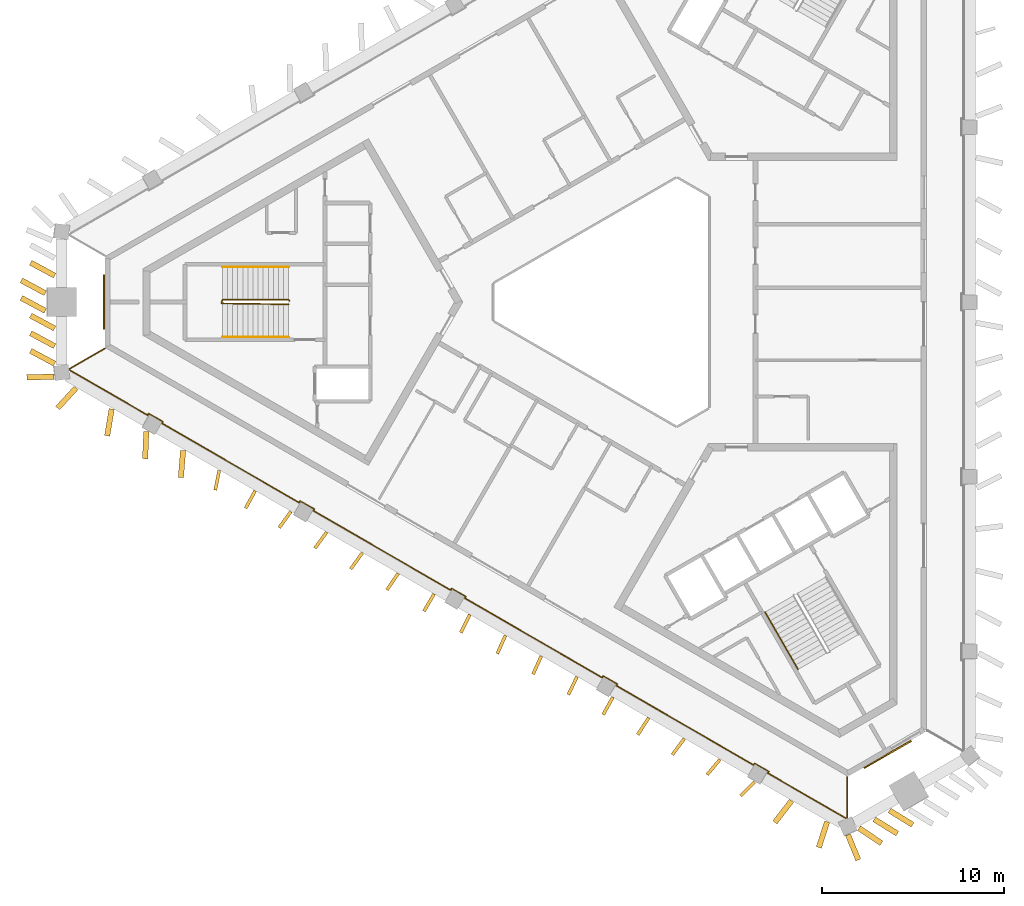
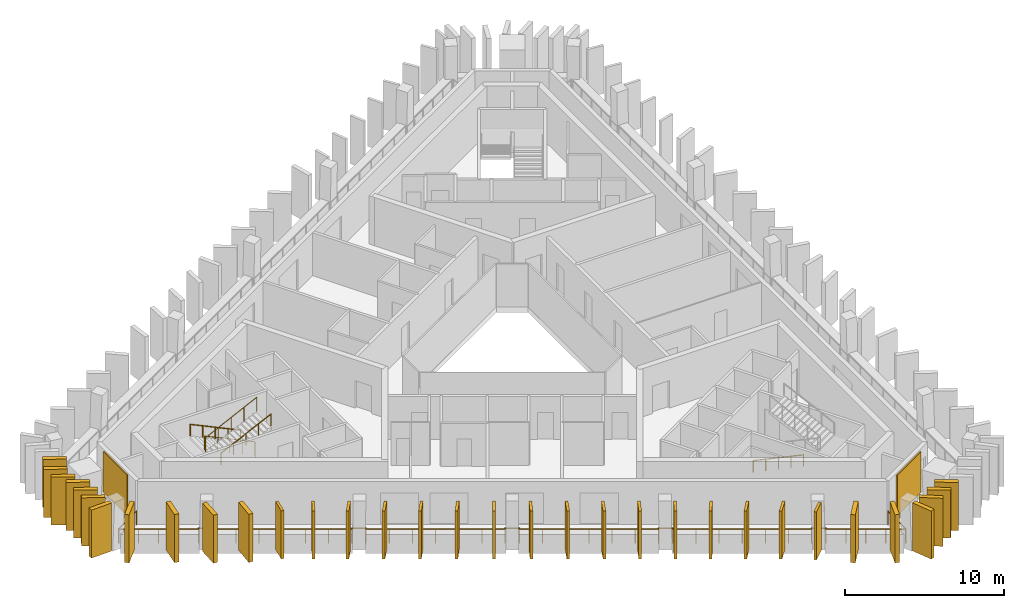
# One storey, part 7 of 10: 33 shading devices, 5 railings, 2 coverings.
"""IFC4 building model written with IfcOpenShell, lengths in metres."""

from ifc_helpers import new_model, si_unit, direction, frame, frame_2d, origin, origin_2d, place, context, subcontext, project, spatial, rectangle, circle, extrude, material, layer, layer_set, type_object, element, save


model = new_model("IFC4")

# Units and contexts
model_context = context("Model", 3, precision=1e-05, world=origin(), true_north=direction((0.0, 1.0)))
body_context = subcontext(model_context, "Body", "Model", "MODEL_VIEW")
ifc_project = project(units=[si_unit("LENGTHUNIT", "METRE"), si_unit("AREAUNIT", "SQUARE_METRE"), si_unit("VOLUMEUNIT", "CUBIC_METRE"), si_unit("PLANEANGLEUNIT", "RADIAN"), si_unit("MASSUNIT", "GRAM", prefix="KILO")], contexts=[model_context])

# Site, building, storey
site_placement = place(None, origin())
site = spatial("IfcSite", under=ifc_project, at=site_placement, CompositionType="ELEMENT")
building_placement = place(site_placement, origin())
building = spatial("IfcBuilding", under=site, at=building_placement, Name="Jabali Bay Hotel Tower and Convention Centre", CompositionType="ELEMENT")
storey_placement = place(building_placement, frame((0.0, 0.0, 284.89990234375)))
storey = spatial("IfcBuildingStorey", under=building, at=storey_placement, Name="L70", CompositionType="ELEMENT", Elevation=284.89990234375)

# Railing
ifc_material_1 = material(Name="Glass", Category="glass")
railing_type_1 = type_object("IfcRailingType", Name="Loggia glass guard 1100", PredefinedType="BALUSTRADE", material=ifc_material_1)
railing_1_placement = place(storey_placement, frame((87.1376953125, 53.87744140625, 0.0)))
element("IfcRailing", 1, at=railing_1_placement, inside=storey, type_object=railing_type_1, Name="Loggia glass guard L70", PredefinedType="BALUSTRADE", context=body_context, shape_type="SweptSolid", body=[
    extrude(circle(Radius=0.02490234375, at=origin_2d()), frame((0.0, 0.0, 1.0751953125), z_axis=(0.0, -1.0, 0.0), x_axis=(0.991444861374, 0.0, 0.13052619222)), (0.0, 0.0, 1.0), 2.27490234375),
    extrude(circle(Radius=0.02490234375, at=origin_2d()), frame((0.0, -2.27490234375, 1.0751953125), z_axis=(-0.920154635629, -0.391555164097, 0.0), x_axis=(0.388205355389, -0.912282585163, 0.13052619222)), (0.0, 0.0, 1.0), 0.037353515625),
    extrude(circle(Radius=0.02490234375, at=origin_2d()), frame((-0.034423828125, -2.28955078125, 1.0751953125), z_axis=(-0.86602359872, 0.50000312645, 0.0), x_axis=(-0.495725530389, -0.85861464678, 0.13052619222)), (0.0, 0.0, 1.0), 4.99462890625),
    extrude(circle(Radius=0.02490234375, at=origin_2d()), frame((-4.35986328125, 0.207763671875, 1.0751953125), z_axis=(0.500074377092, 0.865982457891, 0.0), x_axis=(-0.858573857916, 0.495796171473, 0.13052619222)), (0.0, 0.0, 1.0), 0.10009765625),
    extrude(circle(Radius=0.02490234375, at=origin_2d()), frame((-4.309814453125, 0.29443359375, 1.0751953125), z_axis=(-0.866013897511, 0.50001992892, 0.0), x_axis=(-0.495742189112, -0.858605028566, 0.13052619222)), (0.0, 0.0, 1.0), 0.89990234375),
    extrude(circle(Radius=0.02490234375, at=origin_2d()), frame((-5.089111328125, 0.744384765625, 1.0751953125), z_axis=(-0.501132629342, -0.865370491644, 0.0), x_axis=(0.857967127125, -0.496845370228, 0.13052619222)), (0.0, 0.0, 1.0), 0.099853515625),
    extrude(circle(Radius=0.02490234375, at=origin_2d()), frame((-5.13916015625, 0.657958984375, 1.0751953125), z_axis=(-0.866038283822, 0.499977690457, 0.0), x_axis=(-0.495700312005, -0.858629206248, 0.13052619222)), (0.0, 0.0, 1.0), 8.7216796875),
    extrude(circle(Radius=0.02490234375, at=origin_2d()), frame((-12.6923828125, 5.0185546875, 1.0751953125), z_axis=(0.500074377092, 0.865982457891, 0.0), x_axis=(-0.858573857916, 0.495796171473, 0.13052619222)), (0.0, 0.0, 1.0), 0.10009765625),
    extrude(circle(Radius=0.02490234375, at=origin_2d()), frame((-12.642333984375, 5.105224609375, 1.0751953125), z_axis=(-0.866081705922, 0.499902469156, 0.0), x_axis=(-0.495625734232, -0.858672256866, 0.13052619222)), (0.0, 0.0, 1.0), 0.900146484375),
    extrude(circle(Radius=0.02490234375, at=origin_2d()), frame((-13.421875, 5.55517578125, 1.0751953125), z_axis=(-0.499298623879, -0.866429964967, 0.0), x_axis=(0.859017536507, -0.495027054936, 0.13052619222)), (0.0, 0.0, 1.0), 0.099853515625),
    extrude(circle(Radius=0.02490234375, at=origin_2d()), frame((-13.4716796875, 5.46875, 1.0751953125), z_axis=(-0.866038283822, 0.499977690457, 0.0), x_axis=(-0.495700312005, -0.858629206248, 0.13052619222)), (0.0, 0.0, 1.0), 8.7216796875),
    extrude(circle(Radius=0.02490234375, at=origin_2d()), frame((-21.02490234375, 9.829345703125, 1.0751953125), z_axis=(0.500074377092, 0.865982457891, 0.0), x_axis=(-0.858573857916, 0.495796171473, 0.13052619222)), (0.0, 0.0, 1.0), 0.10009765625),
    extrude(circle(Radius=0.02490234375, at=origin_2d()), frame((-20.974853515625, 9.916015625, 1.0751953125), z_axis=(-0.866081705922, 0.499902469156, 0.0), x_axis=(-0.495625734232, -0.858672256866, 0.13052619222)), (0.0, 0.0, 1.0), 0.900146484375),
    extrude(circle(Radius=0.02490234375, at=origin_2d()), frame((-21.75439453125, 10.365966796875, 1.0751953125), z_axis=(-0.501132629342, -0.865370491644, 0.0), x_axis=(0.857967127125, -0.496845370228, 0.13052619222)), (0.0, 0.0, 1.0), 0.099853515625),
    extrude(circle(Radius=0.02490234375, at=origin_2d()), frame((-21.804443359375, 10.279541015625, 1.0751953125), z_axis=(-0.866019164606, 0.500010806419, 0.0), x_axis=(-0.495733144656, -0.858610250599, 0.13052619222)), (0.0, 0.0, 1.0), 8.721435546875),
    extrude(circle(Radius=0.02490234375, at=origin_2d()), frame((-29.357421875, 14.640380859375, 1.0751953125), z_axis=(0.501132629342, 0.865370491644, 0.0), x_axis=(-0.857967127125, 0.496845370228, 0.13052619222)), (0.0, 0.0, 1.0), 0.099853515625),
    extrude(circle(Radius=0.02490234375, at=origin_2d()), frame((-29.307373046875, 14.726806640625, 1.0751953125), z_axis=(-0.866081705922, 0.499902469156, 0.0), x_axis=(-0.495625734232, -0.858672256866, 0.13052619222)), (0.0, 0.0, 1.0), 0.900146484375),
    extrude(circle(Radius=0.02490234375, at=origin_2d()), frame((-30.0869140625, 15.1767578125, 1.0751953125), z_axis=(-0.501132629342, -0.865370491644, 0.0), x_axis=(0.857967127125, -0.496845370228, 0.13052619222)), (0.0, 0.0, 1.0), 0.099853515625),
    extrude(circle(Radius=0.02490234375, at=origin_2d()), frame((-30.136962890625, 15.09033203125, 1.0751953125), z_axis=(-0.866019164606, 0.500010806419, 0.0), x_axis=(-0.495733144656, -0.858610250599, 0.13052619222)), (0.0, 0.0, 1.0), 8.721435546875),
    extrude(circle(Radius=0.02490234375, at=origin_2d()), frame((-37.68994140625, 19.451171875, 1.0751953125), z_axis=(0.499298623879, 0.866429964967, 0.0), x_axis=(-0.859017536507, 0.495027054936, 0.13052619222)), (0.0, 0.0, 1.0), 0.099853515625),
    extrude(circle(Radius=0.02490234375, at=origin_2d()), frame((-37.64013671875, 19.53759765625, 1.0751953125), z_axis=(-0.865896406789, 0.500223362819, 0.0), x_axis=(-0.495943882606, -0.858488542993, 0.13052619222)), (0.0, 0.0, 1.0), 0.89990234375),
    extrude(circle(Radius=0.02490234375, at=origin_2d()), frame((-38.41943359375, 19.98779296875, 1.0751953125), z_axis=(-0.500074377092, -0.865982457891, 0.0), x_axis=(0.858573857916, -0.495796171473, 0.13052619222)), (0.0, 0.0, 1.0), 0.10009765625),
    extrude(circle(Radius=0.02490234375, at=origin_2d()), frame((-38.469482421875, 19.901123046875, 1.0751953125), z_axis=(-0.86602359872, 0.50000312645, 0.0), x_axis=(-0.495725530389, -0.85861464678, 0.13052619222)), (0.0, 0.0, 1.0), 4.99462890625),
    extrude(circle(Radius=0.02490234375, at=origin_2d()), frame((-42.794921875, 22.3984375, 1.0751953125), z_axis=(-0.124843395554, 0.9921764594, 0.0), x_axis=(-0.983688252248, -0.123775342998, 0.13052619222)), (0.0, 0.0, 1.0), 0.037109375),
    extrude(circle(Radius=0.02490234375, at=origin_2d()), frame((-42.799560546875, 22.435302734375, 1.0751953125), z_axis=(0.865989003036, 0.500063042646, 0.0), x_axis=(-0.495784933994, 0.858580347067, 0.13052619222)), (0.0, 0.0, 1.0), 2.275146484375),
    extrude(circle(Radius=0.02001953125, at=origin_2d()), origin(), (0.0, 0.0, 1.0), 1.050048828125),
    extrude(circle(Radius=0.02001953125, at=origin_2d()), frame((0.0, -1.137451171875, 0.0)), (0.0, 0.0, 1.0), 1.050048828125),
    extrude(circle(Radius=0.02001953125, at=origin_2d()), frame((0.0, -2.27490234375, 0.0)), (0.0, 0.0, 1.0), 1.050048828125),
    extrude(circle(Radius=0.02001953125, at=origin_2d()), frame((-0.034423828125, -2.28955078125, 0.0)), (0.0, 0.0, 1.0), 1.050048828125),
    extrude(circle(Radius=0.02001953125, at=origin_2d()), frame((-1.11572265625, -1.665283203125, 0.0)), (0.0, 0.0, 1.0), 1.050048828125),
    extrude(circle(Radius=0.02001953125, at=origin_2d()), frame((-2.197265625, -1.041015625, 0.0)), (0.0, 0.0, 1.0), 1.050048828125),
    extrude(circle(Radius=0.02001953125, at=origin_2d()), frame((-3.278564453125, -0.41650390625, 0.0)), (0.0, 0.0, 1.0), 1.050048828125),
    extrude(circle(Radius=0.02001953125, at=origin_2d()), frame((-4.35986328125, 0.207763671875, 0.0)), (0.0, 0.0, 1.0), 1.050048828125),
    extrude(circle(Radius=0.02001953125, at=origin_2d()), frame((-4.309814453125, 0.29443359375, 0.0)), (0.0, 0.0, 1.0), 1.050048828125),
    extrude(circle(Radius=0.02001953125, at=origin_2d()), frame((-5.089111328125, 0.744384765625, 0.0)), (0.0, 0.0, 1.0), 1.050048828125),
    extrude(circle(Radius=0.02001953125, at=origin_2d()), frame((-5.13916015625, 0.657958984375, 0.0)), (0.0, 0.0, 1.0), 1.050048828125),
    extrude(circle(Radius=0.02001953125, at=origin_2d()), frame((-6.39794921875, 1.384765625, 0.0)), (0.0, 0.0, 1.0), 1.050048828125),
    extrude(circle(Radius=0.02001953125, at=origin_2d()), frame((-7.656982421875, 2.111572265625, 0.0)), (0.0, 0.0, 1.0), 1.050048828125),
    extrude(circle(Radius=0.02001953125, at=origin_2d()), frame((-8.915771484375, 2.83837890625, 0.0)), (0.0, 0.0, 1.0), 1.050048828125),
    extrude(circle(Radius=0.02001953125, at=origin_2d()), frame((-10.174560546875, 3.56494140625, 0.0)), (0.0, 0.0, 1.0), 1.050048828125),
    extrude(circle(Radius=0.02001953125, at=origin_2d()), frame((-11.43359375, 4.291748046875, 0.0)), (0.0, 0.0, 1.0), 1.050048828125),
    extrude(circle(Radius=0.02001953125, at=origin_2d()), frame((-12.6923828125, 5.0185546875, 0.0)), (0.0, 0.0, 1.0), 1.050048828125),
    extrude(circle(Radius=0.02001953125, at=origin_2d()), frame((-12.642333984375, 5.105224609375, 0.0)), (0.0, 0.0, 1.0), 1.050048828125),
    extrude(circle(Radius=0.02001953125, at=origin_2d()), frame((-13.421875, 5.55517578125, 0.0)), (0.0, 0.0, 1.0), 1.050048828125),
    extrude(circle(Radius=0.02001953125, at=origin_2d()), frame((-13.4716796875, 5.46875, 0.0)), (0.0, 0.0, 1.0), 1.050048828125),
    extrude(circle(Radius=0.02001953125, at=origin_2d()), frame((-14.73046875, 6.195556640625, 0.0)), (0.0, 0.0, 1.0), 1.050048828125),
    extrude(circle(Radius=0.02001953125, at=origin_2d()), frame((-15.989501953125, 6.92236328125, 0.0)), (0.0, 0.0, 1.0), 1.050048828125),
    extrude(circle(Radius=0.02001953125, at=origin_2d()), frame((-17.248291015625, 7.64892578125, 0.0)), (0.0, 0.0, 1.0), 1.050048828125),
    extrude(circle(Radius=0.02001953125, at=origin_2d()), frame((-18.507080078125, 8.375732421875, 0.0)), (0.0, 0.0, 1.0), 1.050048828125),
    extrude(circle(Radius=0.02001953125, at=origin_2d()), frame((-19.76611328125, 9.1025390625, 0.0)), (0.0, 0.0, 1.0), 1.050048828125),
    extrude(circle(Radius=0.02001953125, at=origin_2d()), frame((-21.02490234375, 9.829345703125, 0.0)), (0.0, 0.0, 1.0), 1.050048828125),
    extrude(circle(Radius=0.02001953125, at=origin_2d()), frame((-20.974853515625, 9.916015625, 0.0)), (0.0, 0.0, 1.0), 1.050048828125),
    extrude(circle(Radius=0.02001953125, at=origin_2d()), frame((-21.75439453125, 10.365966796875, 0.0)), (0.0, 0.0, 1.0), 1.050048828125),
    extrude(circle(Radius=0.02001953125, at=origin_2d()), frame((-21.804443359375, 10.279541015625, 0.0)), (0.0, 0.0, 1.0), 1.050048828125),
    extrude(circle(Radius=0.02001953125, at=origin_2d()), frame((-23.063232421875, 11.00634765625, 0.0)), (0.0, 0.0, 1.0), 1.050048828125),
    extrude(circle(Radius=0.02001953125, at=origin_2d()), frame((-24.322021484375, 11.733154296875, 0.0)), (0.0, 0.0, 1.0), 1.050048828125),
    extrude(circle(Radius=0.02001953125, at=origin_2d()), frame((-25.5810546875, 12.4599609375, 0.0)), (0.0, 0.0, 1.0), 1.050048828125),
    extrude(circle(Radius=0.02001953125, at=origin_2d()), frame((-26.83984375, 13.186767578125, 0.0)), (0.0, 0.0, 1.0), 1.050048828125),
    extrude(circle(Radius=0.02001953125, at=origin_2d()), frame((-28.0986328125, 13.91357421875, 0.0)), (0.0, 0.0, 1.0), 1.050048828125),
    extrude(circle(Radius=0.02001953125, at=origin_2d()), frame((-29.357421875, 14.640380859375, 0.0)), (0.0, 0.0, 1.0), 1.050048828125),
    extrude(circle(Radius=0.02001953125, at=origin_2d()), frame((-29.307373046875, 14.726806640625, 0.0)), (0.0, 0.0, 1.0), 1.050048828125),
    extrude(circle(Radius=0.02001953125, at=origin_2d()), frame((-30.0869140625, 15.1767578125, 0.0)), (0.0, 0.0, 1.0), 1.050048828125),
    extrude(circle(Radius=0.02001953125, at=origin_2d()), frame((-30.136962890625, 15.09033203125, 0.0)), (0.0, 0.0, 1.0), 1.050048828125),
    extrude(circle(Radius=0.02001953125, at=origin_2d()), frame((-31.395751953125, 15.817138671875, 0.0)), (0.0, 0.0, 1.0), 1.050048828125),
    extrude(circle(Radius=0.02001953125, at=origin_2d()), frame((-32.654541015625, 16.5439453125, 0.0)), (0.0, 0.0, 1.0), 1.050048828125),
    extrude(circle(Radius=0.02001953125, at=origin_2d()), frame((-33.91357421875, 17.270751953125, 0.0)), (0.0, 0.0, 1.0), 1.050048828125),
    extrude(circle(Radius=0.02001953125, at=origin_2d()), frame((-35.17236328125, 17.99755859375, 0.0)), (0.0, 0.0, 1.0), 1.050048828125),
    extrude(circle(Radius=0.02001953125, at=origin_2d()), frame((-36.43115234375, 18.724365234375, 0.0)), (0.0, 0.0, 1.0), 1.050048828125),
    extrude(circle(Radius=0.02001953125, at=origin_2d()), frame((-37.68994140625, 19.451171875, 0.0)), (0.0, 0.0, 1.0), 1.050048828125),
    extrude(circle(Radius=0.02001953125, at=origin_2d()), frame((-37.64013671875, 19.53759765625, 0.0)), (0.0, 0.0, 1.0), 1.050048828125),
    extrude(circle(Radius=0.02001953125, at=origin_2d()), frame((-38.41943359375, 19.98779296875, 0.0)), (0.0, 0.0, 1.0), 1.050048828125),
    extrude(circle(Radius=0.02001953125, at=origin_2d()), frame((-38.469482421875, 19.901123046875, 0.0)), (0.0, 0.0, 1.0), 1.050048828125),
    extrude(circle(Radius=0.02001953125, at=origin_2d()), frame((-39.55078125, 20.525390625, 0.0)), (0.0, 0.0, 1.0), 1.050048828125),
    extrude(circle(Radius=0.02001953125, at=origin_2d()), frame((-40.63232421875, 21.14990234375, 0.0)), (0.0, 0.0, 1.0), 1.050048828125),
    extrude(circle(Radius=0.02001953125, at=origin_2d()), frame((-41.713623046875, 21.774169921875, 0.0)), (0.0, 0.0, 1.0), 1.050048828125),
    extrude(circle(Radius=0.02001953125, at=origin_2d()), frame((-42.794921875, 22.3984375, 0.0)), (0.0, 0.0, 1.0), 1.050048828125),
    extrude(circle(Radius=0.02001953125, at=origin_2d()), frame((-42.799560546875, 22.435302734375, 0.0)), (0.0, 0.0, 1.0), 1.050048828125),
    extrude(circle(Radius=0.02001953125, at=origin_2d()), frame((-41.814453125, 23.004150390625, 0.0)), (0.0, 0.0, 1.0), 1.050048828125),
    extrude(circle(Radius=0.02001953125, at=origin_2d()), frame((-40.829345703125, 23.572998046875, 0.0)), (0.0, 0.0, 1.0), 1.050048828125),
])

# Shading devices
ifc_material_2 = material(Name="Precast concrete C60", Category="concrete")
ifc_layer_1 = layer(ifc_material_2, 0.179931640625)
ifc_layer_set_1 = layer_set([ifc_layer_1], Name="Precast concrete C60")
shading_device_type_1 = type_object("IfcShadingDeviceType", Name="Precast fin 3680 x 1100", PredefinedType="USERDEFINED", material=ifc_layer_set_1)
shading_device_1_placement = place(storey_placement, frame((52.600341796875, 70.733154296875, 0.010009765625), z_axis=(0.0, 0.0, 1.0), x_axis=(-0.194622227678, -0.980878274045, 0.0)))
element("IfcShadingDevice", 2, at=shading_device_1_placement, inside=storey, type_object=shading_device_type_1, Name="Fin L70 064", ObjectType="FIN", PredefinedType="USERDEFINED", context=body_context, shape_type="SweptSolid", body=[
    extrude(rectangle(XDim=1.10009765625, YDim=0.179931640625, at=frame_2d((0.550048828125, 0.0))), origin(), (0.0, 0.0, 1.0), 3.68017578125),
])
shading_device_2_placement = place(storey_placement, frame((54.5810546875, 69.62060546875, 0.010009765625), z_axis=(0.0, 0.0, 1.0), x_axis=(-0.480810590552, -0.876824484155, 0.0)))
element("IfcShadingDevice", 3, at=shading_device_2_placement, inside=storey, type_object=shading_device_type_1, Name="Fin L70 065", ObjectType="FIN", PredefinedType="USERDEFINED", context=body_context, shape_type="SweptSolid", body=[
    extrude(rectangle(XDim=1.099853515625, YDim=0.179931640625, at=frame_2d((0.5498046875, 0.0))), origin(), (0.0, 0.0, 1.0), 3.68017578125),
])
for number, where, z_axis, x_axis, name in (
    (4, (56.544921875, 68.47900390625, 0.010009765625), (0.0, 0.0, 1.0), (-0.583251843698, -0.812291380493, 0.0), "Fin L70 066"),
    (5, (58.51171875, 67.342529296875, 0.010009765625), (0.0, 0.0, 1.0), (-0.589688235553, -0.80763097071, 0.0), "Fin L70 067"),
    (6, (60.479248046875, 66.20703125, 0.010009765625), (0.0, 0.0, 1.0), (-0.585450038599, -0.81070848787, 0.0), "Fin L70 068"),
    (7, (62.447509765625, 65.0732421875, 0.010009765625), (0.0, 0.0, 1.0), (-0.565256611128, -0.824915125074, 0.0), "Fin L70 069"),
):
    element("IfcShadingDevice", number, at=place(storey_placement, frame(where, z_axis=z_axis, x_axis=x_axis)), inside=storey, type_object=shading_device_type_1, Name=name, ObjectType="FIN", PredefinedType="USERDEFINED", context=body_context, shape_type="SweptSolid", body=[
        extrude(rectangle(XDim=1.10009765625, YDim=0.179931640625, at=frame_2d((0.550048828125, 0.0))), origin(), (0.0, 0.0, 1.0), 3.68017578125),
    ])
shading_device_3_placement = place(storey_placement, frame((64.41796875, 63.943115234375, 0.010009765625), z_axis=(0.0, 0.0, 1.0), x_axis=(-0.503222204094, -0.864157053612, 0.0)))
element("IfcShadingDevice", 8, at=shading_device_3_placement, inside=storey, type_object=shading_device_type_1, Name="Fin L70 070", ObjectType="FIN", PredefinedType="USERDEFINED", context=body_context, shape_type="SweptSolid", body=[
    extrude(rectangle(XDim=1.099853515625, YDim=0.179931640625, at=frame_2d((0.5498046875, 0.0))), origin(), (0.0, 0.0, 1.0), 3.68017578125),
])
shading_device_4_placement = place(storey_placement, frame((66.382568359375, 62.802734375, 0.010009765625), z_axis=(0.0, 0.0, 1.0), x_axis=(-0.443392530446, -0.896327542779, 0.0)))
element("IfcShadingDevice", 9, at=shading_device_4_placement, inside=storey, type_object=shading_device_type_1, Name="Fin L70 071", ObjectType="FIN", PredefinedType="USERDEFINED", context=body_context, shape_type="SweptSolid", body=[
    extrude(rectangle(XDim=1.10009765625, YDim=0.179931640625, at=frame_2d((0.550048828125, 0.0))), origin(), (0.0, 0.0, 1.0), 3.68017578125),
])
for number, where, z_axis, x_axis, name in (
    (10, (68.348388671875, 61.6640625, 0.010009765625), (0.0, 0.0, 1.0), (-0.41197921131, -0.911193244843, 0.0), "Fin L70 072"),
    (11, (70.3154296875, 60.5283203125, 0.010009765625), (0.0, 0.0, 1.0), (-0.411527248912, -0.911397456329, 0.0), "Fin L70 073"),
):
    element("IfcShadingDevice", number, at=place(storey_placement, frame(where, z_axis=z_axis, x_axis=x_axis)), inside=storey, type_object=shading_device_type_1, Name=name, ObjectType="FIN", PredefinedType="USERDEFINED", context=body_context, shape_type="SweptSolid", body=[
        extrude(rectangle(XDim=1.099853515625, YDim=0.179931640625, at=frame_2d((0.5498046875, 0.0))), origin(), (0.0, 0.0, 1.0), 3.68017578125),
    ])
for number, where, z_axis, x_axis, name in (
    (12, (72.283935546875, 59.39453125, 0.010009765625), (0.0, 0.0, 1.0), (-0.435456502385, -0.900209772515, 0.0), "Fin L70 074"),
    (13, (74.253662109375, 58.263427734375, 0.010009765625), (0.0, 0.0, 1.0), (-0.486716675393, -0.873559887984, 0.0), "Fin L70 075"),
    (14, (76.219482421875, 57.124755859375, 0.010009765625), (0.0, 0.0, 1.0), (-0.543278883498, -0.839552294229, 0.0), "Fin L70 076"),
):
    element("IfcShadingDevice", number, at=place(storey_placement, frame(where, z_axis=z_axis, x_axis=x_axis)), inside=storey, type_object=shading_device_type_1, Name=name, ObjectType="FIN", PredefinedType="USERDEFINED", context=body_context, shape_type="SweptSolid", body=[
        extrude(rectangle(XDim=1.10009765625, YDim=0.179931640625, at=frame_2d((0.550048828125, 0.0))), origin(), (0.0, 0.0, 1.0), 3.68017578125),
    ])
shading_device_5_placement = place(storey_placement, frame((78.18359375, 55.98388671875, 0.010009765625), z_axis=(0.0, 0.0, 1.0), x_axis=(-0.597332981863, -0.801993334623, 0.0)))
element("IfcShadingDevice", 15, at=shading_device_5_placement, inside=storey, type_object=shading_device_type_1, Name="Fin L70 077", ObjectType="FIN", PredefinedType="USERDEFINED", context=body_context, shape_type="SweptSolid", body=[
    extrude(rectangle(XDim=1.099853515625, YDim=0.179931640625, at=frame_2d((0.5498046875, 0.0))), origin(), (0.0, 0.0, 1.0), 3.68017578125),
])
shading_device_6_placement = place(storey_placement, frame((80.148193359375, 54.843505859375, 0.010009765625), z_axis=(0.0, 0.0, 1.0), x_axis=(-0.644518397498, -0.76458880144, 0.0)))
element("IfcShadingDevice", 16, at=shading_device_6_placement, inside=storey, type_object=shading_device_type_1, Name="Fin L70 078", ObjectType="FIN", PredefinedType="USERDEFINED", context=body_context, shape_type="SweptSolid", body=[
    extrude(rectangle(XDim=1.10009765625, YDim=0.179931640625, at=frame_2d((0.550048828125, 0.0))), origin(), (0.0, 0.0, 1.0), 3.68017578125),
])
shading_device_7_placement = place(storey_placement, frame((82.0576171875, 53.607421875, 0.010009765625), z_axis=(0.0, 0.0, 1.0), x_axis=(-0.712964493891, -0.701200135804, 0.0)))
element("IfcShadingDevice", 17, at=shading_device_7_placement, inside=storey, type_object=shading_device_type_1, Name="Fin L70 079", ObjectType="FIN", PredefinedType="USERDEFINED", context=body_context, shape_type="SweptSolid", body=[
    extrude(rectangle(XDim=1.099853515625, YDim=0.179931640625, at=frame_2d((0.5498046875, 0.0))), origin(), (0.0, 0.0, 1.0), 3.68017578125),
])
ifc_layer_2 = layer(ifc_material_2, 0.300048828125)
ifc_layer_set_2 = layer_set([ifc_layer_2], Name="Precast concrete C60")
shading_device_type_2 = type_object("IfcShadingDeviceType", Name="Precast fin 3680 x 1500", PredefinedType="USERDEFINED", material=ifc_layer_set_2)
for number, where, z_axis, x_axis, name in (
    (18, (43.55078125, 81.4541015625, 0.010009765625), (0.0, 0.0, 1.0), (-0.881097417694, 0.472934816368, 0.0), "Fin L70 054"),
    (19, (43.0380859375, 80.484619140625, 0.010009765625), (0.0, 0.0, 1.0), (-0.881097417694, 0.472934816368, 0.0), "Fin L70 055"),
    (20, (43.0380859375, 79.515380859375, 0.010009765625), (0.0, 0.0, 1.0), (-0.881097417694, 0.472934816368, 0.0), "Fin L70 056"),
    (21, (43.55078125, 78.5458984375, 0.010009765625), (0.0, 0.0, 1.0), (-0.881097417694, 0.472934816368, 0.0), "Fin L70 057"),
    (22, (43.55078125, 77.576416015625, 0.010009765625), (0.0, 0.0, 1.0), (-0.881029598056, 0.473061145465, 0.0), "Fin L70 058"),
    (23, (43.55078125, 76.607177734375, 0.010009765625), (0.0, 0.0, 1.0), (-0.881097417694, 0.472934816368, 0.0), "Fin L70 059"),
):
    element("IfcShadingDevice", number, at=place(storey_placement, frame(where, z_axis=z_axis, x_axis=x_axis)), inside=storey, type_object=shading_device_type_2, Name=name, ObjectType="FIN", PredefinedType="USERDEFINED", context=body_context, shape_type="SweptSolid", body=[
        extrude(rectangle(XDim=1.500244140625, YDim=0.300048828125, at=frame_2d((0.75, 0.0))), origin(), (0.0, 0.0, 1.0), 3.68017578125),
    ])
for number, where, z_axis, x_axis, name in (
    (24, (44.7294921875, 75.27294921875, 0.010009765625), (0.0, 0.0, 1.0), (-0.677373791956, -0.7356390052, 0.0), "Fin L70 060"),
    (25, (46.686767578125, 74.119873046875, 0.010009765625), (0.0, 0.0, 1.0), (-0.163237634517, -0.986586780105, 0.0), "Fin L70 061"),
    (26, (48.591796875, 72.87646484375, 0.010009765625), (0.0, 0.0, 1.0), (-0.041664392494, -0.999131662194, 0.0), "Fin L70 062"),
    (27, (50.615478515625, 71.83837890625, 0.010009765625), (0.0, 0.0, 1.0), (-0.080890160317, -0.996723021689, 0.0), "Fin L70 063"),
    (28, (84.080810546875, 52.568603515625, 0.010009765625), (0.0, 0.0, 1.0), (-0.609049826054, -0.793131962149, 0.0), "Fin L70 080"),
    (29, (86.042236328125, 51.422607421875, 0.010009765625), (0.0, 0.0, 1.0), (-0.307131176258, -0.951667190025, 0.0), "Fin L70 081"),
    (30, (87.786865234375, 51.06689453125, 0.010009765625), (0.0, 0.0, 1.0), (0.830745892345, -0.556651832253, 0.0), "Fin L70 082"),
    (31, (88.6259765625, 51.552490234375, 0.010009765625), (0.0, 0.0, 1.0), (0.850140244576, -0.526556326097, 0.0), "Fin L70 083"),
):
    element("IfcShadingDevice", number, at=place(storey_placement, frame(where, z_axis=z_axis, x_axis=x_axis)), inside=storey, type_object=shading_device_type_2, Name=name, ObjectType="FIN", PredefinedType="USERDEFINED", context=body_context, shape_type="SweptSolid", body=[
        extrude(rectangle(XDim=1.5, YDim=0.300048828125, at=frame_2d((0.75, 0.0))), origin(), (0.0, 0.0, 1.0), 3.68017578125),
    ])
shading_device_8_placement = place(storey_placement, frame((89.46533203125, 52.037109375, 0.010009765625), z_axis=(0.0, 0.0, 1.0), x_axis=(0.850185364679, -0.526483471427, 0.0)))
element("IfcShadingDevice", 32, at=shading_device_8_placement, inside=storey, type_object=shading_device_type_2, Name="Fin L70 084", ObjectType="FIN", PredefinedType="USERDEFINED", context=body_context, shape_type="SweptSolid", body=[
    extrude(rectangle(XDim=1.500244140625, YDim=0.300048828125, at=frame_2d((0.75, 0.0))), origin(), (0.0, 0.0, 1.0), 3.68017578125),
])
for number, where, z_axis, x_axis, name in (
    (33, (43.51953125, 75.89794921875, 0.010009765625), (0.0, 0.0, 1.0), (-0.999516670176, -0.031087393585, 0.0), "Fin L70 094"),
    (34, (87.187744140625, 50.698974609375, 0.010009765625), (0.0, 0.0, 1.0), (0.376800496251, -0.926294438084, 0.0), "Fin L70 095"),
):
    element("IfcShadingDevice", number, at=place(storey_placement, frame(where, z_axis=z_axis, x_axis=x_axis)), inside=storey, type_object=shading_device_type_2, Name=name, ObjectType="FIN", PredefinedType="USERDEFINED", context=body_context, shape_type="SweptSolid", body=[
        extrude(rectangle(XDim=1.5, YDim=0.300048828125, at=frame_2d((0.75, 0.0))), origin(), (0.0, 0.0, 1.0), 3.68017578125),
    ])

# Coverings
ifc_material_3 = material(Name="Precast concrete C40/50", Category="concrete")
ifc_layer_3 = layer(ifc_material_3, 0.080078125)
ifc_layer_set_3 = layer_set([ifc_layer_3], Name="Precast concrete C40/50")
covering_type = type_object("IfcCoveringType", Name="Relief panel 3000 x 3100", PredefinedType="CLADDING", material=ifc_layer_set_3)
for number, where, z_axis, x_axis, name in (
    (35, (46.268310546875, 80.0, 0.10009765625), (0.0, 0.0, 1.0), (0.0, 1.0, 0.0), "Relief panel L70"),
    (36, (89.36572265625, 55.11767578125, 0.10009765625), (0.0, 0.0, 1.0), (-0.866025383347, -0.500000035399, 0.0), "Relief panel L70"),
):
    element("IfcCovering", number, at=place(storey_placement, frame(where, z_axis=z_axis, x_axis=x_axis)), inside=storey, type_object=covering_type, Name=name, PredefinedType="CLADDING", context=body_context, shape_type="SweptSolid", body=[
        extrude(rectangle(XDim=3.0, YDim=0.080078125, at=origin_2d()), origin(), (0.0, 0.0, 1.0), 3.10009765625),
    ])

# Railings
ifc_material_4 = material(Name="Steel Q355B", Category="steel")
railing_type_2 = type_object("IfcRailingType", Name="Stair guard 1100", PredefinedType="GUARDRAIL", material=ifc_material_4)
railing_2_placement = place(storey_placement, frame((56.469970703125, 80.074951171875, 0.0)))
element("IfcRailing", 37, at=railing_2_placement, inside=storey, type_object=railing_type_2, Name="L70 ST1 stair guard 1", PredefinedType="GUARDRAIL", context=body_context, shape_type="SweptSolid", body=[
    extrude(circle(Radius=0.02392578125, at=origin_2d()), frame((0.0, 0.0, 1.076171875), z_axis=(-0.333514590198, 0.333514590198, 0.881780038474), x_axis=(-0.707106781187, -0.707106781187, 0.0)), (0.0, 0.0, 1.0), 0.150146484375),
    extrude(circle(Radius=0.02392578125, at=origin_2d()), frame((-0.050048828125, 0.050048828125, 1.20849609375), z_axis=(-0.904350763662, 0.0, 0.426789990819), x_axis=(0.0, -1.0, 0.0)), (0.0, 0.0, 1.0), 4.02490234375),
    extrude(circle(Radius=0.02392578125, at=origin_2d()), frame((-3.68994140625, 0.050048828125, 2.92626953125), z_axis=(-0.242814311512, -0.970072785993, 0.0), x_axis=(0.970072785993, -0.242814311512, 0.0)), (0.0, 0.0, 1.0), 0.2060546875),
    extrude(circle(Radius=0.02392578125, at=origin_2d()), frame((-3.739990234375, -0.14990234375, 2.92626953125), z_axis=(0.893864111827, -0.012124000458, 0.448174026692), x_axis=(0.013562335953, 0.999908027292, 0.0)), (0.0, 0.0, 1.0), 4.128173828125),
    extrude(circle(Radius=0.02099609375, at=origin_2d()), origin(), (0.0, 0.0, 1.0), 1.052001953125),
    extrude(circle(Radius=0.02099609375, at=origin_2d()), frame((-0.050048828125, 0.050048828125, 0.13232421875)), (0.0, 0.0, 1.0), 1.052001953125),
    extrude(circle(Radius=0.02099609375, at=origin_2d()), frame((-0.9599609375, 0.050048828125, 0.561767578125)), (0.0, 0.0, 1.0), 1.052001953125),
    extrude(circle(Radius=0.02099609375, at=origin_2d()), frame((-1.8701171875, 0.050048828125, 0.9912109375)), (0.0, 0.0, 1.0), 1.052001953125),
    extrude(circle(Radius=0.02099609375, at=origin_2d()), frame((-2.780029296875, 0.050048828125, 1.420654296875)), (0.0, 0.0, 1.0), 1.052001953125),
    extrude(circle(Radius=0.02099609375, at=origin_2d()), frame((-3.68994140625, 0.050048828125, 1.85009765625)), (0.0, 0.0, 1.0), 1.052001953125),
    extrude(circle(Radius=0.02099609375, at=origin_2d()), frame((-3.739990234375, -0.14990234375, 1.85009765625)), (0.0, 0.0, 1.0), 1.052001953125),
    extrude(circle(Radius=0.02099609375, at=origin_2d()), frame((-2.8173828125, -0.162353515625, 2.3125)), (0.0, 0.0, 1.0), 1.052001953125),
    extrude(circle(Radius=0.02099609375, at=origin_2d()), frame((-1.89501953125, -0.1748046875, 2.775146484375)), (0.0, 0.0, 1.0), 1.052001953125),
    extrude(circle(Radius=0.02099609375, at=origin_2d()), frame((-0.97265625, -0.1875, 3.23779296875)), (0.0, 0.0, 1.0), 1.052001953125),
    extrude(circle(Radius=0.02099609375, at=origin_2d()), frame((-0.050048828125, -0.199951171875, 3.7001953125)), (0.0, 0.0, 1.0), 1.052001953125),
])
railing_type_3 = type_object("IfcRailingType", Name="Stair handrail 900", PredefinedType="HANDRAIL", material=ifc_material_4)
railing_3_placement = place(storey_placement, frame((56.419921875, 81.925048828125, 0.13232421875)))
element("IfcRailing", 38, at=railing_3_placement, inside=storey, type_object=railing_type_3, Name="L70 ST1 stair handrail 1", PredefinedType="HANDRAIL", context=body_context, shape_type="SweptSolid", body=[
    extrude(circle(Radius=0.02392578125, at=origin_2d()), frame((0.0, 0.0, 0.8759765625), z_axis=(-0.904350763662, 0.0, 0.426789990819), x_axis=(0.0, -1.0, 0.0)), (0.0, 0.0, 1.0), 4.02490234375),
    extrude(circle(Radius=0.02099609375, at=origin_2d()), origin(), (0.0, 0.0, 1.0), 0.851806640625),
    extrude(circle(Radius=0.02099609375, at=origin_2d()), frame((-0.909912109375, 0.0, 0.429443359375)), (0.0, 0.0, 1.0), 0.851806640625),
    extrude(circle(Radius=0.02099609375, at=origin_2d()), frame((-1.81982421875, 0.0, 0.85888671875)), (0.0, 0.0, 1.0), 0.851806640625),
    extrude(circle(Radius=0.02099609375, at=origin_2d()), frame((-2.72998046875, 0.0, 1.288330078125)), (0.0, 0.0, 1.0), 0.851806640625),
    extrude(circle(Radius=0.02099609375, at=origin_2d()), frame((-3.639892578125, 0.0, 1.7177734375)), (0.0, 0.0, 1.0), 0.851806640625),
])
railing_4_placement = place(storey_placement, frame((52.780029296875, 78.074951171875, 1.982177734375)))
element("IfcRailing", 39, at=railing_4_placement, inside=storey, type_object=railing_type_3, Name="L70 ST1 stair handrail 2", PredefinedType="HANDRAIL", context=body_context, shape_type="SweptSolid", body=[
    extrude(circle(Radius=0.02392578125, at=origin_2d()), frame((0.0, 0.0, 0.8759765625), z_axis=(0.904327350853, 0.0, 0.426839598092), x_axis=(0.0, 1.0, 0.0)), (0.0, 0.0, 1.0), 4.02490234375),
    extrude(circle(Radius=0.02099609375, at=origin_2d()), origin(), (0.0, 0.0, 1.0), 0.851806640625),
    extrude(circle(Radius=0.02099609375, at=origin_2d()), frame((0.909912109375, 0.0, 0.429443359375)), (0.0, 0.0, 1.0), 0.851806640625),
    extrude(circle(Radius=0.02099609375, at=origin_2d()), frame((1.81982421875, 0.0, 0.85888671875)), (0.0, 0.0, 1.0), 0.851806640625),
    extrude(circle(Radius=0.02099609375, at=origin_2d()), frame((2.72998046875, 0.0, 1.28857421875)), (0.0, 0.0, 1.0), 0.851806640625),
    extrude(circle(Radius=0.02099609375, at=origin_2d()), frame((3.639892578125, 0.0, 1.718017578125)), (0.0, 0.0, 1.0), 0.851806640625),
])
railing_5_placement = place(storey_placement, frame((82.622802734375, 62.94677734375, 0.13232421875)))
element("IfcRailing", 40, at=railing_5_placement, inside=storey, type_object=railing_type_3, Name="L70 ST3 stair handrail 1", PredefinedType="HANDRAIL", context=body_context, shape_type="SweptSolid", body=[
    extrude(circle(Radius=0.02392578125, at=origin_2d()), frame((0.0, 0.0, 0.8759765625), z_axis=(0.452190331055, -0.783190014029, 0.426775475427), x_axis=(0.866018046521, 0.500012742938, 0.0)), (0.0, 0.0, 1.0), 4.02490234375),
    extrude(circle(Radius=0.02099609375, at=origin_2d()), origin(), (0.0, 0.0, 1.0), 0.851806640625),
    extrude(circle(Radius=0.02099609375, at=origin_2d()), frame((0.455078125, -0.7880859375, 0.429443359375)), (0.0, 0.0, 1.0), 0.851806640625),
    extrude(circle(Radius=0.02099609375, at=origin_2d()), frame((0.91015625, -1.576171875, 0.85888671875)), (0.0, 0.0, 1.0), 0.851806640625),
    extrude(circle(Radius=0.02099609375, at=origin_2d()), frame((1.364990234375, -2.3642578125, 1.288330078125)), (0.0, 0.0, 1.0), 0.851806640625),
    extrude(circle(Radius=0.02099609375, at=origin_2d()), frame((1.820068359375, -3.15234375, 1.7177734375)), (0.0, 0.0, 1.0), 0.851806640625),
])

save(model, "model.ifc")
